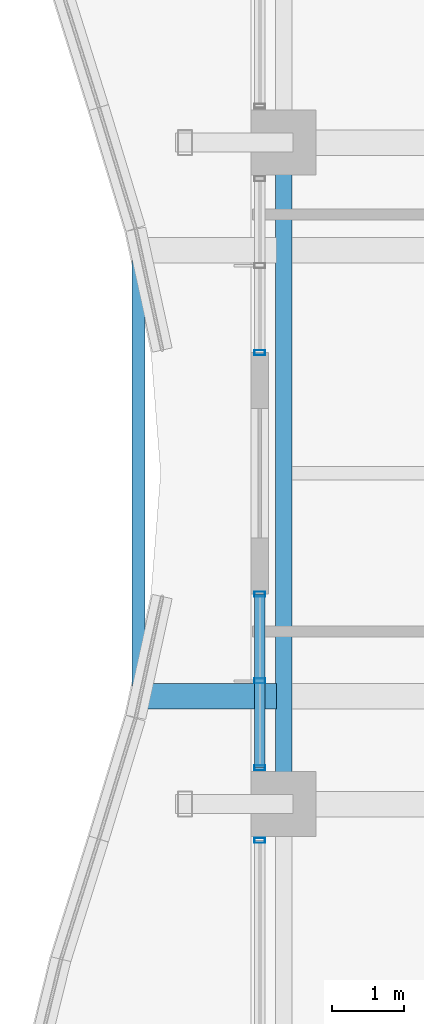
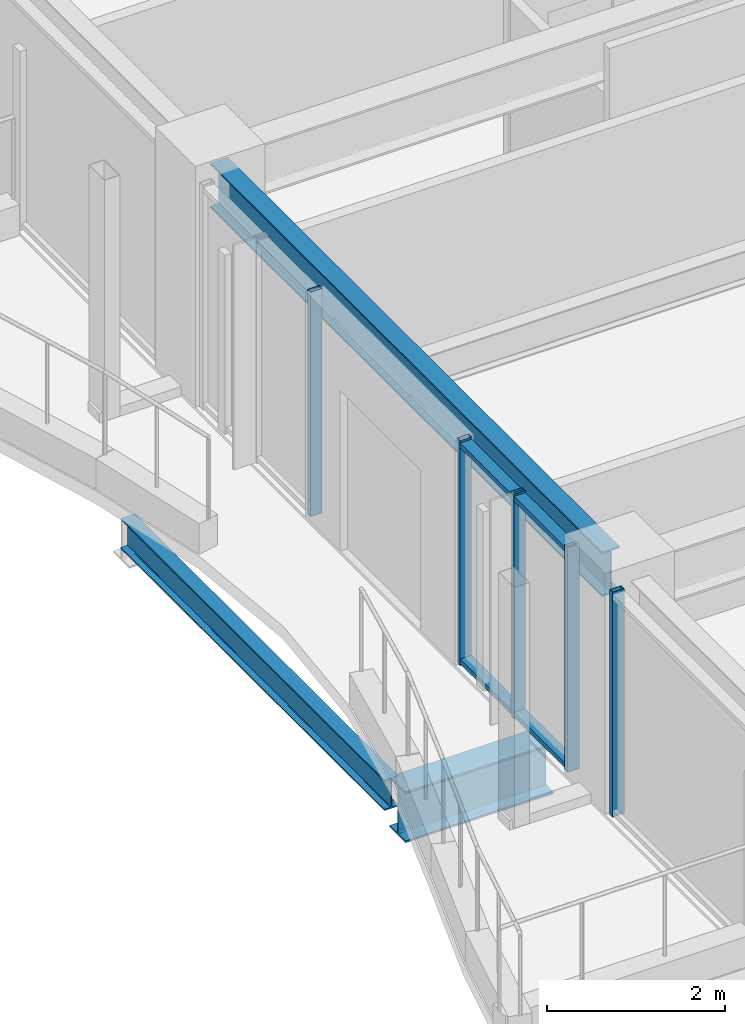
# One storey, part 6 of 35: 7 members, 3 beams, 3 elements without a shape of their own.
"""IFC4 building model written with IfcOpenShell, lengths in metres."""

from ifc_helpers import new_model, si_unit, direction, frame, origin, origin_2d, place, context, subcontext, project, spatial, hollow_rectangle, i_section, extrude, material, material_profile, profile_set, type_object, element, aggregate, save


model = new_model("IFC4")

# Units and contexts
model_context = context("Model", 3, precision=1e-05, world=origin(), true_north=direction((0.0, 1.0)))
body_context = subcontext(model_context, "Body", "Model", "MODEL_VIEW")
ifc_project = project(units=[si_unit("LENGTHUNIT", "METRE"), si_unit("AREAUNIT", "SQUARE_METRE"), si_unit("VOLUMEUNIT", "CUBIC_METRE"), si_unit("PLANEANGLEUNIT", "RADIAN"), si_unit("MASSUNIT", "GRAM", prefix="KILO")], contexts=[model_context])

# Site, building, storey
site_placement = place(None, origin())
site = spatial("IfcSite", under=ifc_project, at=site_placement, CompositionType="ELEMENT")
building_placement = place(site_placement, origin())
building = spatial("IfcBuilding", under=site, at=building_placement, Name="Kolvaren Belvedere", CompositionType="ELEMENT")
storey_placement = place(building_placement, frame((0.0, 0.0, 183.300048828125)))
storey = spatial("IfcBuildingStorey", under=building, at=storey_placement, Name="L53", CompositionType="ELEMENT", Elevation=183.300048828125)

# Beams
ifc_material_1 = material(Name="Structural steel ASTM A992 Grade 50", Category="steel")
ifc_material_profile_1 = material_profile(ifc_material_1, i_section(OverallWidth=0.35498046875, OverallDepth=0.696044921875, WebThickness=0.015380859375, FlangeThickness=0.02490234375, FilletRadius=0.02197265625, at=origin_2d()), Name="W27X146")
ifc_profile_set_1 = profile_set([ifc_material_profile_1], Name="Structural steel ASTM A992 Grade 50")
beam_type_1 = type_object("IfcBeamType", Name="BM-CANT-BAL", PredefinedType="BEAM", material=ifc_profile_set_1)
beam_1_placement = place(storey_placement, frame((-20.044921875, -3.10009765625, -0.568115234375), z_axis=(-1.0, 0.0, 0.0), x_axis=(0.0, -1.0, 0.0)))
element("IfcBeam", 1, at=beam_1_placement, inside=storey, type_object=beam_type_1, Name="L53 Planted Balcony Cantilever BAL-W-1", PredefinedType="BEAM", context=body_context, shape_type="SweptSolid", body=[
    extrude(i_section(OverallWidth=0.35498046875, OverallDepth=0.696044921875, WebThickness=0.015380859375, FlangeThickness=0.02490234375, FilletRadius=0.02197265625, at=origin_2d()), origin(), (0.0, 0.0, 1.0), 1.91943359375),
])
ifc_material_2 = material(Name="Structural steel ASTM A992 Grade 50", Category="steel")
ifc_material_profile_2 = material_profile(ifc_material_2, i_section(OverallWidth=0.180908203125, OverallDepth=0.4169921875, WebThickness=0.010986328125, FlangeThickness=0.018310546875, FilletRadius=0.013916015625, at=origin_2d()), Name="W16X57")
ifc_profile_set_2 = profile_set([ifc_material_profile_2], Name="Structural steel ASTM A992 Grade 50")
beam_type_2 = type_object("IfcBeamType", Name="BM-EDGE-W16X57", PredefinedType="BEAM", material=ifc_profile_set_2)
beam_2_placement = place(storey_placement, frame((-21.96435546875, -2.9599609375, -0.428466796875), z_axis=(0.0, 1.0, 0.0), x_axis=(-1.0, 0.0, 0.0)))
element("IfcBeam", 2, at=beam_2_placement, inside=storey, type_object=beam_type_2, Name="L53 Balcony Tip Header Beam BAL-W", PredefinedType="BEAM", context=body_context, shape_type="SweptSolid", body=[
    extrude(i_section(OverallWidth=0.180908203125, OverallDepth=0.4169921875, WebThickness=0.010986328125, FlangeThickness=0.018310546875, FilletRadius=0.013916015625, at=origin_2d()), origin(), (0.0, 0.0, 1.0), 5.919921875),
])
ifc_material_3 = material(Name="Structural steel ASTM A992 Grade 50", Category="steel")
ifc_material_profile_3 = material_profile(ifc_material_3, i_section(OverallWidth=0.22900390625, OverallDepth=0.612060546875, WebThickness=0.011962890625, FlangeThickness=0.01953125, FilletRadius=0.01806640625, at=origin_2d()), Name="W24X84")
ifc_profile_set_3 = profile_set([ifc_material_profile_3], Name="Structural steel ASTM A992 Grade 50")
beam_type_3 = type_object("IfcBeamType", Name="BM-SPAN-W24X84", PredefinedType="SPANDREL", material=ifc_profile_set_3)
beam_3_placement = place(storey_placement, frame((-19.949951171875, 4.3974609375, 2.77392578125), z_axis=(0.0, -1.0, 0.0), x_axis=(1.0, 0.0, 0.0)))
element("IfcBeam", 3, at=beam_3_placement, inside=storey, type_object=beam_type_3, Name="L53 Perimeter Spandrel W3-W2", PredefinedType="SPANDREL", context=body_context, shape_type="SweptSolid", body=[
    extrude(i_section(OverallWidth=0.22900390625, OverallDepth=0.612060546875, WebThickness=0.011962890625, FlangeThickness=0.01953125, FilletRadius=0.01806640625, at=origin_2d()), origin(), (0.0, 0.0, 1.0), 8.794921875),
])

# Curtain wall, member
ifc_material_4 = material(Name="Anodised pale-metal aluminium AA 6063-T6", Category="aluminium")
curtain_wall_type = type_object("IfcCurtainWallType", Name="CW-Z5-HIGH", PredefinedType="NOTDEFINED", material=ifc_material_4)
curtain_wall_1_placement = place(storey_placement, origin())
curtain_wall_1 = element("IfcCurtainWall", 4, at=curtain_wall_1_placement, inside=storey, type_object=curtain_wall_type, Name="L53 Unitised Curtain Wall FCW-L53-W1-B1", PredefinedType="NOTDEFINED")
ifc_material_5 = material(Name="Anodised pale-metal aluminium AA 6063-T6", Category="aluminium")
ifc_material_profile_4 = material_profile(ifc_material_5, hollow_rectangle(XDim=0.070068359375, YDim=0.14990234375, WallThickness=0.004150390625, at=origin_2d()), Name="ALU-MUL-150X70")
ifc_profile_set_4 = profile_set([ifc_material_profile_4], Name="Anodised pale-metal aluminium AA 6063-T6")
member_type_1 = type_object("IfcMemberType", Name="CW-MUL-150", PredefinedType="MULLION", material=ifc_profile_set_4)
member_1_placement = place(storey_placement, frame((-20.280029296875, -5.10498046875, 0.0), z_axis=(0.0, 0.0, 1.0), x_axis=(0.0, 1.0, 0.0)))
member_1 = element("IfcMember", 5, at=member_1_placement, type_object=member_type_1, Name="FCW-L53-W1-B1 Unitised Mullion 3", PredefinedType="MULLION", context=body_context, shape_type="SweptSolid", body=[
    extrude(hollow_rectangle(XDim=0.070068359375, YDim=0.14990234375, WallThickness=0.004150390625, at=origin_2d()), origin(), (0.0, 0.0, 1.0), 3.079833984375),
])
aggregate(curtain_wall_1, [member_1])

# Curtain wall, members
curtain_wall_2_placement = place(storey_placement, origin())
curtain_wall_2 = element("IfcCurtainWall", 6, at=curtain_wall_2_placement, inside=storey, type_object=curtain_wall_type, Name="L53 Unitised Curtain Wall FCW-L53-W1-B2", PredefinedType="NOTDEFINED")
member_2_placement = place(storey_placement, frame((-20.280029296875, -4.094970703125, 0.0), z_axis=(0.0, 0.0, 1.0), x_axis=(0.0, 1.0, 0.0)))
member_2 = element("IfcMember", 7, at=member_2_placement, type_object=member_type_1, Name="FCW-L53-W1-B2 Unitised Mullion 1", PredefinedType="MULLION", context=body_context, shape_type="SweptSolid", body=[
    extrude(hollow_rectangle(XDim=0.070068359375, YDim=0.14990234375, WallThickness=0.004150390625, at=origin_2d()), origin(), (0.0, 0.0, 1.0), 3.079833984375),
])
member_3_placement = place(storey_placement, frame((-20.280029296875, -2.887451171875, 0.0), z_axis=(0.0, 0.0, 1.0), x_axis=(0.0, 1.0, 0.0)))
member_3 = element("IfcMember", 8, at=member_3_placement, type_object=member_type_1, Name="FCW-L53-W1-B2 Unitised Mullion 2", PredefinedType="MULLION", context=body_context, shape_type="SweptSolid", body=[
    extrude(hollow_rectangle(XDim=0.070068359375, YDim=0.14990234375, WallThickness=0.004150390625, at=origin_2d()), origin(), (0.0, 0.0, 1.0), 3.079833984375),
])
member_4_placement = place(storey_placement, frame((-20.280029296875, -1.679931640625, 0.0), z_axis=(0.0, 0.0, 1.0), x_axis=(0.0, 1.0, 0.0)))
member_4 = element("IfcMember", 9, at=member_4_placement, type_object=member_type_1, Name="FCW-L53-W1-B2 Unitised Mullion 3", PredefinedType="MULLION", context=body_context, shape_type="SweptSolid", body=[
    extrude(hollow_rectangle(XDim=0.070068359375, YDim=0.14990234375, WallThickness=0.004150390625, at=origin_2d()), origin(), (0.0, 0.0, 1.0), 3.079833984375),
])

# Curtain wall, member
curtain_wall_3_placement = place(storey_placement, origin())
curtain_wall_3 = element("IfcCurtainWall", 10, at=curtain_wall_3_placement, inside=storey, type_object=curtain_wall_type, Name="L53 Unitised Curtain Wall FCW-L53-W2-B1", PredefinedType="NOTDEFINED")
member_5_placement = place(storey_placement, frame((-20.280029296875, 1.679931640625, 0.0), z_axis=(0.0, 0.0, 1.0), x_axis=(0.0, 1.0, 0.0)))
member_5 = element("IfcMember", 11, at=member_5_placement, type_object=member_type_1, Name="FCW-L53-W2-B1 Unitised Mullion 1", PredefinedType="MULLION", context=body_context, shape_type="SweptSolid", body=[
    extrude(hollow_rectangle(XDim=0.070068359375, YDim=0.14990234375, WallThickness=0.004150390625, at=origin_2d()), origin(), (0.0, 0.0, 1.0), 3.079833984375),
])
aggregate(curtain_wall_3, [member_5])

# Member
ifc_material_6 = material(Name="Anodised pale-metal aluminium AA 6063-T6", Category="aluminium")
ifc_material_profile_5 = material_profile(ifc_material_6, hollow_rectangle(XDim=0.06494140625, YDim=0.14990234375, WallThickness=0.00390625, at=origin_2d()), Name="ALU-TRN-150X65")
ifc_profile_set_5 = profile_set([ifc_material_profile_5], Name="Anodised pale-metal aluminium AA 6063-T6")
member_type_2 = type_object("IfcMemberType", Name="CW-TRN-150", PredefinedType="USERDEFINED", material=ifc_profile_set_5)
member_6_placement = place(storey_placement, frame((-20.280029296875, -4.094970703125, 0.06005859375), z_axis=(0.0, 1.0, 0.0), x_axis=(0.0, 0.0, 1.0)))
member_6 = element("IfcMember", 12, at=member_6_placement, type_object=member_type_2, Name="FCW-L53-W1-B2 Sill Transom", ObjectType="TRANSOM", PredefinedType="USERDEFINED", context=body_context, shape_type="SweptSolid", body=[
    extrude(hollow_rectangle(XDim=0.06494140625, YDim=0.14990234375, WallThickness=0.00390625, at=origin_2d()), origin(), (0.0, 0.0, 1.0), 2.4150390625),
])

member_7_placement = place(storey_placement, frame((-20.280029296875, -4.094970703125, 3.02001953125), z_axis=(0.0, 1.0, 0.0), x_axis=(0.0, 0.0, 1.0)))
member_7 = element("IfcMember", 13, at=member_7_placement, type_object=member_type_2, Name="FCW-L53-W1-B2 Head Transom", ObjectType="TRANSOM", PredefinedType="USERDEFINED", context=body_context, shape_type="SweptSolid", body=[
    extrude(hollow_rectangle(XDim=0.06494140625, YDim=0.14990234375, WallThickness=0.00390625, at=origin_2d()), origin(), (0.0, 0.0, 1.0), 2.4150390625),
])

aggregate(curtain_wall_2, [member_2, member_3, member_4, member_6, member_7])

save(model, "model.ifc")
